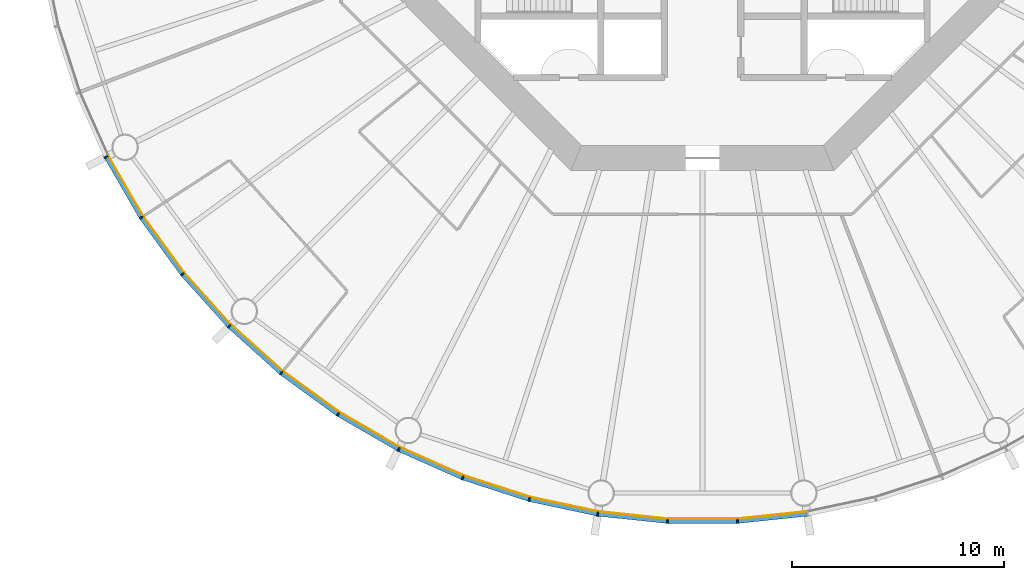
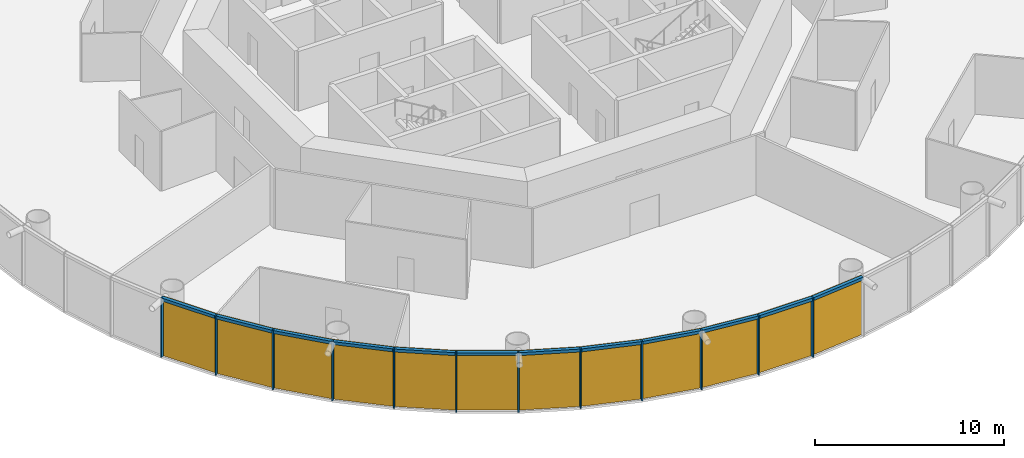
# One storey, part 7 of 13: 24 members, 4 curtain walls.
"""IFC4 building model written with IfcOpenShell, lengths in metres."""

from ifc_helpers import new_model, si_unit, direction, frame, origin, origin_2d, place, context, subcontext, project, spatial, polyline, rectangle, outline, extrude, material, layer, layer_set, material_profile, profile_set, type_object, element, aggregate, save


model = new_model("IFC4")

# Units and contexts
model_context = context("Model", 3, precision=1e-05, world=origin(), true_north=direction((0.0, 1.0)))
body_context = subcontext(model_context, "Body", "Model", "MODEL_VIEW")
ifc_project = project(units=[si_unit("LENGTHUNIT", "METRE"), si_unit("AREAUNIT", "SQUARE_METRE"), si_unit("VOLUMEUNIT", "CUBIC_METRE"), si_unit("PLANEANGLEUNIT", "RADIAN"), si_unit("MASSUNIT", "GRAM", prefix="KILO")], contexts=[model_context])

# Member
ifc_material_1 = material(Name="Anodised aluminium", Category="aluminium")
ifc_material_profile_1 = material_profile(ifc_material_1, rectangle(XDim=0.070068359375, YDim=0.199951171875, at=origin_2d()), Name="Mullion 70 x 200 mm anodised aluminium")
ifc_profile_set_1 = profile_set([ifc_material_profile_1], Name="Anodised aluminium")
member_type_1 = type_object("IfcMemberType", Name="Mullion 70 x 200 mm anodised aluminium", PredefinedType="MULLION", material=ifc_profile_set_1)
site_placement = place(None, origin())
building_placement = place(site_placement, origin())
storey_placement = place(building_placement, frame((0.0, 0.0, 112.0)))
member_1_placement = place(storey_placement, frame((61.84423828125, 65.65380859375, 0.0), z_axis=(0.0, 0.0, 1.0), x_axis=(0.45399049974, -0.891006524188, 0.0)))
member_1 = element("IfcMember", 1, at=member_1_placement, type_object=member_type_1, Name="MULLION L25-33", PredefinedType="MULLION", context=body_context, shape_type="SweptSolid", body=[
    extrude(rectangle(XDim=0.070068359375, YDim=0.199951171875, at=origin_2d()), origin(), (0.0, 0.0, 1.0), 3.85009765625),
])

member_2_placement = place(storey_placement, frame((63.498046875, 62.789306640625, 0.0), z_axis=(0.0, 0.0, 1.0), x_axis=(0.544639035015, -0.838670567945, 0.0)))
member_2 = element("IfcMember", 2, at=member_2_placement, type_object=member_type_1, Name="MULLION L25-34", PredefinedType="MULLION", context=body_context, shape_type="SweptSolid", body=[
    extrude(rectangle(XDim=0.070068359375, YDim=0.199951171875, at=origin_2d()), origin(), (0.0, 0.0, 1.0), 3.85009765625),
])

member_3_placement = place(storey_placement, frame((65.442138671875, 60.113525390625, 0.0), z_axis=(0.0, 0.0, 1.0), x_axis=(0.62932039105, -0.777145961457, 0.0)))
member_3 = element("IfcMember", 3, at=member_3_placement, type_object=member_type_1, Name="MULLION L25-35", PredefinedType="MULLION", context=body_context, shape_type="SweptSolid", body=[
    extrude(rectangle(XDim=0.070068359375, YDim=0.199951171875, at=origin_2d()), origin(), (0.0, 0.0, 1.0), 3.85009765625),
])

member_4_placement = place(storey_placement, frame((67.655517578125, 57.655517578125, 0.0), z_axis=(0.0, 0.0, 1.0), x_axis=(0.707106781187, -0.707106781187, 0.0)))
member_4 = element("IfcMember", 4, at=member_4_placement, type_object=member_type_1, Name="MULLION L25-36", PredefinedType="MULLION", context=body_context, shape_type="SweptSolid", body=[
    extrude(rectangle(XDim=0.070068359375, YDim=0.199951171875, at=origin_2d()), origin(), (0.0, 0.0, 1.0), 3.85009765625),
])

member_5_placement = place(storey_placement, frame((70.113525390625, 55.442138671875, 0.0), z_axis=(0.0, 0.0, 1.0), x_axis=(0.777145961457, -0.62932039105, 0.0)))
member_5 = element("IfcMember", 5, at=member_5_placement, type_object=member_type_1, Name="MULLION L25-37", PredefinedType="MULLION", context=body_context, shape_type="SweptSolid", body=[
    extrude(rectangle(XDim=0.070068359375, YDim=0.199951171875, at=origin_2d()), origin(), (0.0, 0.0, 1.0), 3.85009765625),
])

member_6_placement = place(storey_placement, frame((72.789306640625, 53.498046875, 0.0), z_axis=(0.0, 0.0, 1.0), x_axis=(0.838670567945, -0.544639035015, 0.0)))
member_6 = element("IfcMember", 6, at=member_6_placement, type_object=member_type_1, Name="MULLION L25-38", PredefinedType="MULLION", context=body_context, shape_type="SweptSolid", body=[
    extrude(rectangle(XDim=0.070068359375, YDim=0.199951171875, at=origin_2d()), origin(), (0.0, 0.0, 1.0), 3.85009765625),
])

member_7_placement = place(storey_placement, frame((75.65380859375, 51.84423828125, 0.0), z_axis=(0.0, 0.0, 1.0), x_axis=(0.891006524188, -0.45399049974, 0.0)))
member_7 = element("IfcMember", 7, at=member_7_placement, type_object=member_type_1, Name="MULLION L25-39", PredefinedType="MULLION", context=body_context, shape_type="SweptSolid", body=[
    extrude(rectangle(XDim=0.070068359375, YDim=0.199951171875, at=origin_2d()), origin(), (0.0, 0.0, 1.0), 3.85009765625),
])

member_8_placement = place(storey_placement, frame((78.675537109375, 50.498779296875, 0.0), z_axis=(0.0, 0.0, 1.0), x_axis=(0.933580426497, -0.358367949545, 0.0)))
member_8 = element("IfcMember", 8, at=member_8_placement, type_object=member_type_1, Name="MULLION L25-40", PredefinedType="MULLION", context=body_context, shape_type="SweptSolid", body=[
    extrude(rectangle(XDim=0.070068359375, YDim=0.199951171875, at=origin_2d()), origin(), (0.0, 0.0, 1.0), 3.85009765625),
])

member_9_placement = place(storey_placement, frame((81.8212890625, 49.476806640625, 0.0), z_axis=(0.0, 0.0, 1.0), x_axis=(0.965925826289, -0.258819045103, 0.0)))
member_9 = element("IfcMember", 9, at=member_9_placement, type_object=member_type_1, Name="MULLION L25-41", PredefinedType="MULLION", context=body_context, shape_type="SweptSolid", body=[
    extrude(rectangle(XDim=0.070068359375, YDim=0.199951171875, at=origin_2d()), origin(), (0.0, 0.0, 1.0), 3.85009765625),
])

member_10_placement = place(storey_placement, frame((85.056640625, 48.7890625, 0.0), z_axis=(0.0, 0.0, 1.0), x_axis=(0.987688340595, -0.15643446504, 0.0)))
member_10 = element("IfcMember", 10, at=member_10_placement, type_object=member_type_1, Name="MULLION L25-42", PredefinedType="MULLION", context=body_context, shape_type="SweptSolid", body=[
    extrude(rectangle(XDim=0.070068359375, YDim=0.199951171875, at=origin_2d()), origin(), (0.0, 0.0, 1.0), 3.85009765625),
])

member_11_placement = place(storey_placement, frame((88.34619140625, 48.443359375, 0.0), z_axis=(0.0, 0.0, 1.0), x_axis=(0.998629534755, -0.052335956243, 0.0)))
member_11 = element("IfcMember", 11, at=member_11_placement, type_object=member_type_1, Name="MULLION L25-43", PredefinedType="MULLION", context=body_context, shape_type="SweptSolid", body=[
    extrude(rectangle(XDim=0.070068359375, YDim=0.199951171875, at=origin_2d()), origin(), (0.0, 0.0, 1.0), 3.85009765625),
])

member_12_placement = place(storey_placement, frame((91.65380859375, 48.443359375, 0.0), z_axis=(0.0, 0.0, 1.0), x_axis=(0.998629534755, 0.052335956243, 0.0)))
member_12 = element("IfcMember", 12, at=member_12_placement, type_object=member_type_1, Name="MULLION L25-44", PredefinedType="MULLION", context=body_context, shape_type="SweptSolid", body=[
    extrude(rectangle(XDim=0.070068359375, YDim=0.199951171875, at=origin_2d()), origin(), (0.0, 0.0, 1.0), 3.85009765625),
])

ifc_material_2 = material(Name="Anodised aluminium", Category="aluminium")
ifc_material_profile_2 = material_profile(ifc_material_2, rectangle(XDim=0.199951171875, YDim=0.18994140625, at=origin_2d()), Name="Transom 190 x 200 mm anodised aluminium")
ifc_profile_set_2 = profile_set([ifc_material_profile_2], Name="Anodised aluminium")
member_type_2 = type_object("IfcMemberType", Name="Transom 190 x 200 mm anodised aluminium", PredefinedType="USERDEFINED", material=ifc_profile_set_2)
member_13_placement = place(storey_placement, frame((61.8642578125, 65.618896484375, 3.7548828125), z_axis=(0.500004055213, -0.866023062494, 0.0), x_axis=(0.866023062494, 0.500004055213, 0.0)))
member_13 = element("IfcMember", 13, at=member_13_placement, type_object=member_type_2, Name="TRANSOM L25-33", ObjectType="TRANSOM", PredefinedType="USERDEFINED", context=body_context, shape_type="SweptSolid", body=[
    extrude(rectangle(XDim=0.199951171875, YDim=0.18994140625, at=origin_2d()), origin(), (0.0, 0.0, 1.0), 3.22705078125),
])

member_14_placement = place(storey_placement, frame((63.521484375, 62.7568359375, 3.7548828125), z_axis=(0.587802790201, -0.809004252048, 0.0), x_axis=(0.809004252048, 0.587802790201, 0.0)))
member_14 = element("IfcMember", 14, at=member_14_placement, type_object=member_type_2, Name="TRANSOM L25-34", ObjectType="TRANSOM", PredefinedType="USERDEFINED", context=body_context, shape_type="SweptSolid", body=[
    extrude(rectangle(XDim=0.199951171875, YDim=0.18994140625, at=origin_2d()), origin(), (0.0, 0.0, 1.0), 3.227294921875),
])

member_15_placement = place(storey_placement, frame((65.468994140625, 60.08349609375, 3.7548828125), z_axis=(0.669144438484, -0.743132370743, 0.0), x_axis=(0.743132370743, 0.669144438484, 0.0)))
member_15 = element("IfcMember", 15, at=member_15_placement, type_object=member_type_2, Name="TRANSOM L25-35", ObjectType="TRANSOM", PredefinedType="USERDEFINED", context=body_context, shape_type="SweptSolid", body=[
    extrude(rectangle(XDim=0.199951171875, YDim=0.18994140625, at=origin_2d()), origin(), (0.0, 0.0, 1.0), 3.22705078125),
])

member_16_placement = place(storey_placement, frame((67.685302734375, 57.62841796875, 3.7548828125), z_axis=(0.743132370743, -0.669144438484, 0.0), x_axis=(0.669144438484, 0.743132370743, 0.0)))
member_16 = element("IfcMember", 16, at=member_16_placement, type_object=member_type_2, Name="TRANSOM L25-36", ObjectType="TRANSOM", PredefinedType="USERDEFINED", context=body_context, shape_type="SweptSolid", body=[
    extrude(rectangle(XDim=0.199951171875, YDim=0.18994140625, at=origin_2d()), origin(), (0.0, 0.0, 1.0), 3.22705078125),
])

member_17_placement = place(storey_placement, frame((70.14599609375, 55.41845703125, 3.7548828125), z_axis=(0.809004252048, -0.587802790201, 0.0), x_axis=(0.587802790201, 0.809004252048, 0.0)))
member_17 = element("IfcMember", 17, at=member_17_placement, type_object=member_type_2, Name="TRANSOM L25-37", ObjectType="TRANSOM", PredefinedType="USERDEFINED", context=body_context, shape_type="SweptSolid", body=[
    extrude(rectangle(XDim=0.199951171875, YDim=0.18994140625, at=origin_2d()), origin(), (0.0, 0.0, 1.0), 3.227294921875),
])

member_18_placement = place(storey_placement, frame((72.82421875, 53.477783203125, 3.7548828125), z_axis=(0.866023062494, -0.500004055213, 0.0), x_axis=(0.500004055213, 0.866023062494, 0.0)))
member_18 = element("IfcMember", 18, at=member_18_placement, type_object=member_type_2, Name="TRANSOM L25-38", ObjectType="TRANSOM", PredefinedType="USERDEFINED", context=body_context, shape_type="SweptSolid", body=[
    extrude(rectangle(XDim=0.199951171875, YDim=0.18994140625, at=origin_2d()), origin(), (0.0, 0.0, 1.0), 3.22705078125),
])

member_19_placement = place(storey_placement, frame((75.690673828125, 51.82763671875, 3.7548828125), z_axis=(0.913549291349, -0.406728032322, 0.0), x_axis=(0.406728032322, 0.913549291349, 0.0)))
member_19 = element("IfcMember", 19, at=member_19_placement, type_object=member_type_2, Name="TRANSOM L25-39", ObjectType="TRANSOM", PredefinedType="USERDEFINED", context=body_context, shape_type="SweptSolid", body=[
    extrude(rectangle(XDim=0.199951171875, YDim=0.18994140625, at=origin_2d()), origin(), (0.0, 0.0, 1.0), 3.22705078125),
])

member_20_placement = place(storey_placement, frame((78.7138671875, 50.486328125, 3.7548828125), z_axis=(0.951046855117, -0.309046726844, 0.0), x_axis=(0.309046726844, 0.951046855117, 0.0)))
member_20 = element("IfcMember", 20, at=member_20_placement, type_object=member_type_2, Name="TRANSOM L25-40", ObjectType="TRANSOM", PredefinedType="USERDEFINED", context=body_context, shape_type="SweptSolid", body=[
    extrude(rectangle(XDim=0.199951171875, YDim=0.18994140625, at=origin_2d()), origin(), (0.0, 0.0, 1.0), 3.22705078125),
])

member_21_placement = place(storey_placement, frame((81.860595703125, 49.46826171875, 3.7548828125), z_axis=(0.978153082647, -0.207885898771, 0.0), x_axis=(0.207885898771, 0.978153082647, 0.0)))
member_21 = element("IfcMember", 21, at=member_21_placement, type_object=member_type_2, Name="TRANSOM L25-41", ObjectType="TRANSOM", PredefinedType="USERDEFINED", context=body_context, shape_type="SweptSolid", body=[
    extrude(rectangle(XDim=0.199951171875, YDim=0.18994140625, at=origin_2d()), origin(), (0.0, 0.0, 1.0), 3.227294921875),
])

member_22_placement = place(storey_placement, frame((85.0966796875, 48.78466796875, 3.7548828125), z_axis=(0.994519537956, -0.104550890115, 0.0), x_axis=(0.104550890115, 0.994519537956, 0.0)))
member_22 = element("IfcMember", 22, at=member_22_placement, type_object=member_type_2, Name="TRANSOM L25-42", ObjectType="TRANSOM", PredefinedType="USERDEFINED", context=body_context, shape_type="SweptSolid", body=[
    extrude(rectangle(XDim=0.199951171875, YDim=0.18994140625, at=origin_2d()), origin(), (0.0, 0.0, 1.0), 3.22705078125),
])

member_23_placement = place(storey_placement, frame((88.386474609375, 48.443115234375, 3.7548828125), z_axis=(1.0, 0.0, 0.0), x_axis=(0.0, 1.0, 0.0)))
member_23 = element("IfcMember", 23, at=member_23_placement, type_object=member_type_2, Name="TRANSOM L25-43", ObjectType="TRANSOM", PredefinedType="USERDEFINED", context=body_context, shape_type="SweptSolid", body=[
    extrude(rectangle(XDim=0.199951171875, YDim=0.18994140625, at=origin_2d()), origin(), (0.0, 0.0, 1.0), 3.22705078125),
])

member_24_placement = place(storey_placement, frame((91.69384765625, 48.447265625, 3.7548828125), z_axis=(0.994519537956, 0.104550890115, 0.0), x_axis=(-0.104550890115, 0.994519537956, 0.0)))
member_24 = element("IfcMember", 24, at=member_24_placement, type_object=member_type_2, Name="TRANSOM L25-44", ObjectType="TRANSOM", PredefinedType="USERDEFINED", context=body_context, shape_type="SweptSolid", body=[
    extrude(rectangle(XDim=0.199951171875, YDim=0.18994140625, at=origin_2d()), origin(), (0.0, 0.0, 1.0), 3.22705078125),
])

# Site, building, storey
site = spatial("IfcSite", under=ifc_project, at=site_placement, CompositionType="ELEMENT")
building = spatial("IfcBuilding", under=site, at=building_placement, Name="Entoto Ring Tower", CompositionType="ELEMENT")
storey = spatial("IfcBuildingStorey", under=building, at=storey_placement, Name="L25", CompositionType="ELEMENT", Elevation=112.0)

# Curtain wall
ifc_material_3 = material(Name="Clear low-iron glass", Category="glass")
ifc_layer = layer(ifc_material_3, 0.035888671875)
ifc_layer_set = layer_set([ifc_layer], Name="Clear low-iron glass")
curtain_wall_type = type_object("IfcCurtainWallType", Name="Curtain wall system CW2 glazing 36 mm", PredefinedType="NOTDEFINED", material=ifc_layer_set)
curtain_wall_1_placement = place(storey_placement, origin())
curtain_wall_1 = element("IfcCurtainWall", 25, at=curtain_wall_1_placement, inside=storey, type_object=curtain_wall_type, Name="CW2 L25-12", PredefinedType="NOTDEFINED", context=body_context, shape_type="SweptSolid", body=[
    extrude(outline(polyline([(61.933349609375, 65.69921875), (63.581787109375, 62.84375), (65.52001953125, 60.176513671875), (67.72607421875, 57.72607421875), (67.751708984375, 57.751708984375), (65.5478515625, 60.198974609375), (63.612060546875, 62.863525390625), (61.96533203125, 65.715576171875), (61.933349609375, 65.69921875)])), origin(), (0.0, 0.0, 1.0), 3.85009765625),
])

aggregate(curtain_wall_1, [member_1, member_2, member_3, member_13, member_14, member_15])

curtain_wall_2_placement = place(storey_placement, origin())
curtain_wall_2 = element("IfcCurtainWall", 26, at=curtain_wall_2_placement, inside=storey, type_object=curtain_wall_type, Name="CW2 L25-13", PredefinedType="NOTDEFINED", context=body_context, shape_type="SweptSolid", body=[
    extrude(outline(polyline([(67.72607421875, 57.72607421875), (70.176513671875, 55.52001953125), (72.84375, 53.581787109375), (75.69921875, 51.933349609375), (75.715576171875, 51.96533203125), (72.863525390625, 53.612060546875), (70.198974609375, 55.5478515625), (67.751708984375, 57.751708984375), (67.72607421875, 57.72607421875)])), origin(), (0.0, 0.0, 1.0), 3.85009765625),
])

aggregate(curtain_wall_2, [member_4, member_5, member_6, member_16, member_17, member_18])

curtain_wall_3_placement = place(storey_placement, origin())
curtain_wall_3 = element("IfcCurtainWall", 27, at=curtain_wall_3_placement, inside=storey, type_object=curtain_wall_type, Name="CW2 L25-14", PredefinedType="NOTDEFINED", context=body_context, shape_type="SweptSolid", body=[
    extrude(outline(polyline([(75.69921875, 51.933349609375), (78.71142578125, 50.59228515625), (81.84716796875, 49.5732421875), (85.072265625, 48.8876953125), (85.077880859375, 48.92333984375), (81.8564453125, 49.608154296875), (78.724365234375, 50.6259765625), (75.715576171875, 51.96533203125), (75.69921875, 51.933349609375)])), origin(), (0.0, 0.0, 1.0), 3.85009765625),
])

aggregate(curtain_wall_3, [member_7, member_8, member_9, member_19, member_20, member_21])

curtain_wall_4_placement = place(storey_placement, origin())
curtain_wall_4 = element("IfcCurtainWall", 28, at=curtain_wall_4_placement, inside=storey, type_object=curtain_wall_type, Name="CW2 L25-15", PredefinedType="NOTDEFINED", context=body_context, shape_type="SweptSolid", body=[
    extrude(outline(polyline([(85.072265625, 48.8876953125), (88.351318359375, 48.543212890625), (91.648681640625, 48.543212890625), (94.927734375, 48.8876953125), (94.922119140625, 48.92333984375), (91.646728515625, 48.5791015625), (88.353271484375, 48.5791015625), (85.077880859375, 48.92333984375), (85.072265625, 48.8876953125)])), origin(), (0.0, 0.0, 1.0), 3.85009765625),
])

aggregate(curtain_wall_4, [member_10, member_11, member_12, member_22, member_23, member_24])

save(model, "model.ifc")
